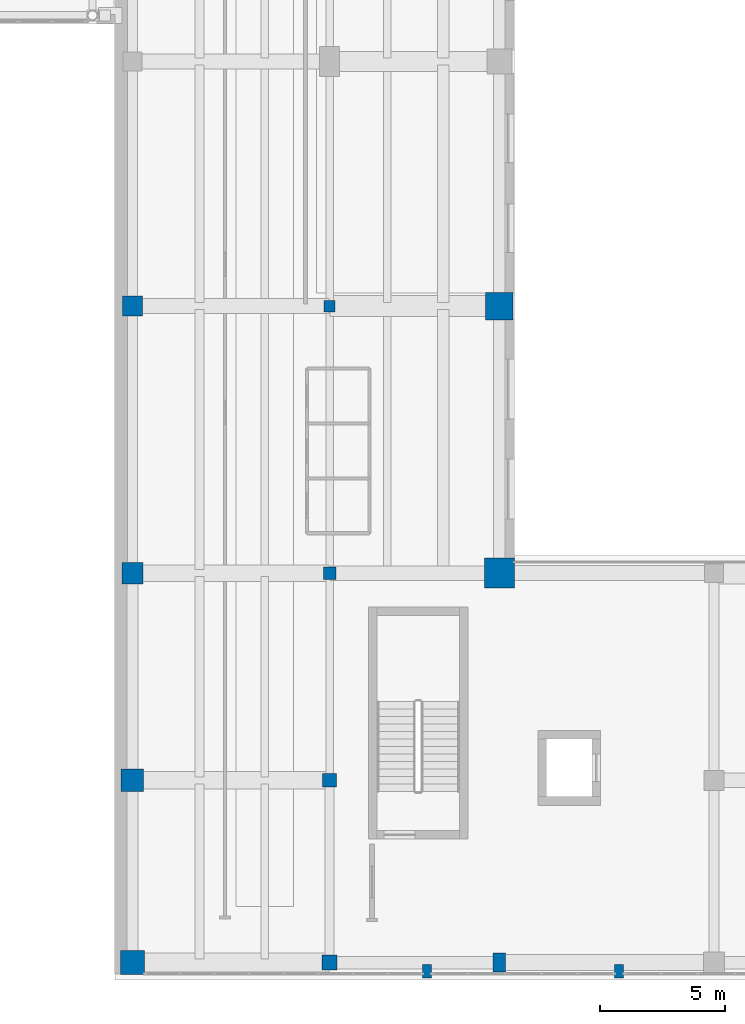
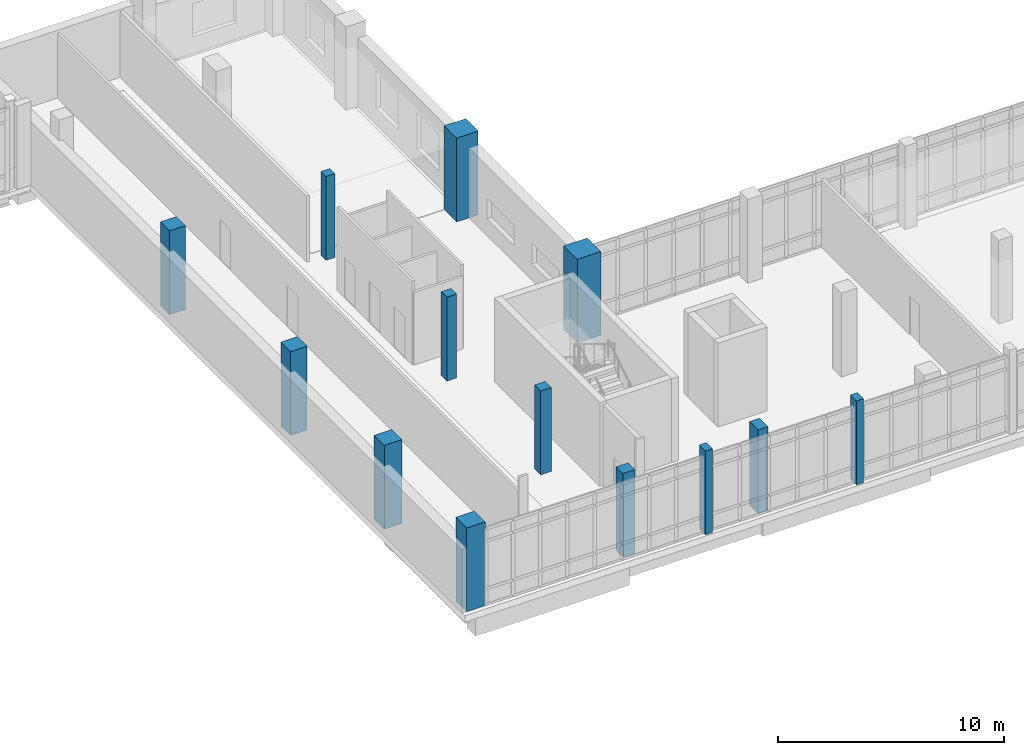
# One storey, part 3 of 89: 13 columns.
"""IFC4 building model written with IfcOpenShell, lengths in metres."""

from ifc_helpers import new_model, si_unit, direction, frame, origin, origin_2d, place, context, subcontext, project, spatial, rectangle, extrude, material, material_profile, profile_set, type_object, element, save


model = new_model("IFC4")

# Units and contexts
model_context = context("Model", 3, precision=1e-05, world=origin(), true_north=direction((0.0, 1.0)))
body_context = subcontext(model_context, "Body", "Model", "MODEL_VIEW")
ifc_project = project(units=[si_unit("LENGTHUNIT", "METRE"), si_unit("AREAUNIT", "SQUARE_METRE"), si_unit("VOLUMEUNIT", "CUBIC_METRE"), si_unit("PLANEANGLEUNIT", "RADIAN"), si_unit("MASSUNIT", "GRAM", prefix="KILO")], contexts=[model_context])

# Site, building, storey
site_placement = place(None, origin())
site = spatial("IfcSite", under=ifc_project, at=site_placement, CompositionType="ELEMENT")
building_placement = place(site_placement, origin())
building = spatial("IfcBuilding", under=site, at=building_placement, Name="Soyqirgoq Riverine Aquarium", CompositionType="ELEMENT")
storey_placement = place(building_placement, frame((0.0, 0.0, 5.39990234375)))
storey = spatial("IfcBuildingStorey", under=building, at=storey_placement, Name="L02", CompositionType="ELEMENT", Elevation=5.39990234375)

# Columns
ifc_material_1 = material(Name="Waterproof concrete C45/55", Category="concrete")
ifc_material_profile_1 = material_profile(ifc_material_1, rectangle(XDim=1.10009765625, YDim=1.10009765625, at=origin_2d()), Name="RC 1100x1100")
ifc_profile_set_1 = profile_set([ifc_material_profile_1], Name="Waterproof concrete C45/55")
column_type_1 = type_object("IfcColumnType", Name="Col_RC_1100x1100", PredefinedType="COLUMN", material=ifc_profile_set_1)
column_1_placement = place(storey_placement, frame((129.39990234375, 28.5, 0.0), z_axis=(0.0, 0.0, 1.0), x_axis=(1.0, 0.0, 0.0)))
element("IfcColumn", 1, at=column_1_placement, inside=storey, type_object=column_type_1, Name="V6 Column V6-C-17 L02", PredefinedType="COLUMN", context=body_context, shape_type="SweptSolid", body=[
    extrude(rectangle(XDim=1.10009765625, YDim=1.10009765625, at=origin_2d()), origin(), (0.0, 0.0, 1.0), 4.52001953125),
])
ifc_material_2 = material(Name="Waterproof concrete C45/55", Category="concrete")
ifc_material_profile_2 = material_profile(ifc_material_2, rectangle(XDim=1.199951171875, YDim=1.199951171875, at=origin_2d()), Name="RC 1200x1200")
ifc_profile_set_2 = profile_set([ifc_material_profile_2], Name="Waterproof concrete C45/55")
column_type_2 = type_object("IfcColumnType", Name="Col_RC_1200x1200", PredefinedType="COLUMN", material=ifc_profile_set_2)
column_2_placement = place(storey_placement, frame((129.39990234375, 17.800048828125, 0.0), z_axis=(0.0, 0.0, 1.0), x_axis=(1.0, 0.0, 0.0)))
element("IfcColumn", 2, at=column_2_placement, inside=storey, type_object=column_type_2, Name="V6 Column V6-C-16 L02", PredefinedType="COLUMN", context=body_context, shape_type="SweptSolid", body=[
    extrude(rectangle(XDim=1.199951171875, YDim=1.199951171875, at=origin_2d()), origin(), (0.0, 0.0, 1.0), 4.52001953125),
])
ifc_material_3 = material(Name="Concrete C40/50", Category="concrete")
ifc_material_profile_3 = material_profile(ifc_material_3, rectangle(XDim=0.449951171875, YDim=0.449951171875, at=origin_2d()), Name="RC 450x450")
ifc_profile_set_3 = profile_set([ifc_material_profile_3], Name="Concrete C40/50")
column_type_3 = type_object("IfcColumnType", Name="Col_RC_450x450", PredefinedType="COLUMN", material=ifc_profile_set_3)
column_3_placement = place(storey_placement, frame((122.60009765625, 28.5, 0.0), z_axis=(0.0, 0.0, 1.0), x_axis=(1.0, 0.0, 0.0)))
element("IfcColumn", 3, at=column_3_placement, inside=storey, type_object=column_type_3, Name="V6 Column V6-C-11 L02", PredefinedType="COLUMN", context=body_context, shape_type="SweptSolid", body=[
    extrude(rectangle(XDim=0.449951171875, YDim=0.449951171875, at=origin_2d()), origin(), (0.0, 0.0, 1.0), 4.52001953125),
])
ifc_material_4 = material(Name="Concrete C40/50", Category="concrete")
ifc_material_profile_4 = material_profile(ifc_material_4, rectangle(XDim=0.5, YDim=0.5, at=origin_2d()), Name="RC 500x500")
ifc_profile_set_4 = profile_set([ifc_material_profile_4], Name="Concrete C40/50")
column_type_4 = type_object("IfcColumnType", Name="Col_RC_500x500", PredefinedType="COLUMN", material=ifc_profile_set_4)
column_4_placement = place(storey_placement, frame((122.60009765625, 17.800048828125, 0.0), z_axis=(0.0, 0.0, 1.0), x_axis=(1.0, 0.0, 0.0)))
element("IfcColumn", 4, at=column_4_placement, inside=storey, type_object=column_type_4, Name="V6 Column V6-C-10 L02", PredefinedType="COLUMN", context=body_context, shape_type="SweptSolid", body=[
    extrude(rectangle(XDim=0.5, YDim=0.5, at=origin_2d()), origin(), (0.0, 0.0, 1.0), 4.52001953125),
])
ifc_material_5 = material(Name="Concrete C40/50", Category="concrete")
ifc_material_profile_5 = material_profile(ifc_material_5, rectangle(XDim=0.5, YDim=0.75, at=origin_2d()), Name="RC-COL 500x750")
ifc_profile_set_5 = profile_set([ifc_material_profile_5], Name="Concrete C40/50")
column_type_5 = type_object("IfcColumnType", Name="Col_RC_500x750", PredefinedType="COLUMN", material=ifc_profile_set_5)
column_5_placement = place(storey_placement, frame((129.39990234375, 2.199951171875, 0.0), z_axis=(0.0, 0.0, 1.0), x_axis=(1.0, 0.0, 0.0)))
element("IfcColumn", 5, at=column_5_placement, inside=storey, type_object=column_type_5, Name="V6 Column V6-C-15 L02", PredefinedType="COLUMN", context=body_context, shape_type="SweptSolid", body=[
    extrude(rectangle(XDim=0.5, YDim=0.75, at=origin_2d()), origin(), (0.0, 0.0, 1.0), 4.52001953125),
])
ifc_material_6 = material(Name="Concrete C40/50", Category="concrete")
ifc_material_profile_6 = material_profile(ifc_material_6, rectangle(XDim=0.550048828125, YDim=0.550048828125, at=origin_2d()), Name="RC 550x550")
ifc_profile_set_6 = profile_set([ifc_material_profile_6], Name="Concrete C40/50")
column_type_6 = type_object("IfcColumnType", Name="Col_RC_550x550", PredefinedType="COLUMN", material=ifc_profile_set_6)
column_6_placement = place(storey_placement, frame((122.60009765625, 9.5, 0.0), z_axis=(0.0, 0.0, 1.0), x_axis=(1.0, 0.0, 0.0)))
element("IfcColumn", 6, at=column_6_placement, inside=storey, type_object=column_type_6, Name="V6 Column V6-C-09 L02", PredefinedType="COLUMN", context=body_context, shape_type="SweptSolid", body=[
    extrude(rectangle(XDim=0.550048828125, YDim=0.550048828125, at=origin_2d()), origin(), (0.0, 0.0, 1.0), 4.52001953125),
])
ifc_material_7 = material(Name="Concrete C40/50", Category="concrete")
ifc_material_profile_7 = material_profile(ifc_material_7, rectangle(XDim=0.60009765625, YDim=0.60009765625, at=origin_2d()), Name="RC 600x600")
ifc_profile_set_7 = profile_set([ifc_material_profile_7], Name="Concrete C40/50")
column_type_7 = type_object("IfcColumnType", Name="Col_RC_600x600", PredefinedType="COLUMN", material=ifc_profile_set_7)
column_7_placement = place(storey_placement, frame((122.60009765625, 2.199951171875, 0.0), z_axis=(0.0, 0.0, 1.0), x_axis=(1.0, 0.0, 0.0)))
element("IfcColumn", 7, at=column_7_placement, inside=storey, type_object=column_type_7, Name="V6 Column V6-C-08 L02", PredefinedType="COLUMN", context=body_context, shape_type="SweptSolid", body=[
    extrude(rectangle(XDim=0.60009765625, YDim=0.60009765625, at=origin_2d()), origin(), (0.0, 0.0, 1.0), 4.52001953125),
])
ifc_material_8 = material(Name="Concrete C40/50", Category="concrete")
ifc_material_profile_8 = material_profile(ifc_material_8, rectangle(XDim=0.800048828125, YDim=0.800048828125, at=origin_2d()), Name="RC 800x800")
ifc_profile_set_8 = profile_set([ifc_material_profile_8], Name="Concrete C40/50")
column_type_8 = type_object("IfcColumnType", Name="Col_RC_800x800", PredefinedType="COLUMN", material=ifc_profile_set_8)
column_8_placement = place(storey_placement, frame((114.699951171875, 28.5, 0.0), z_axis=(0.0, 0.0, 1.0), x_axis=(1.0, 0.0, 0.0)))
element("IfcColumn", 8, at=column_8_placement, inside=storey, type_object=column_type_8, Name="V6 Column V6-C-04 L02", PredefinedType="COLUMN", context=body_context, shape_type="SweptSolid", body=[
    extrude(rectangle(XDim=0.800048828125, YDim=0.800048828125, at=origin_2d()), origin(), (0.0, 0.0, 1.0), 4.52001953125),
])
ifc_material_9 = material(Name="Concrete C40/50", Category="concrete")
ifc_material_profile_9 = material_profile(ifc_material_9, rectangle(XDim=0.85009765625, YDim=0.85009765625, at=origin_2d()), Name="RC 850x850")
ifc_profile_set_9 = profile_set([ifc_material_profile_9], Name="Concrete C40/50")
column_type_9 = type_object("IfcColumnType", Name="Col_RC_850x850", PredefinedType="COLUMN", material=ifc_profile_set_9)
column_9_placement = place(storey_placement, frame((114.699951171875, 17.800048828125, 0.0), z_axis=(0.0, 0.0, 1.0), x_axis=(1.0, 0.0, 0.0)))
element("IfcColumn", 9, at=column_9_placement, inside=storey, type_object=column_type_9, Name="V6 Column V6-C-03 L02", PredefinedType="COLUMN", context=body_context, shape_type="SweptSolid", body=[
    extrude(rectangle(XDim=0.85009765625, YDim=0.85009765625, at=origin_2d()), origin(), (0.0, 0.0, 1.0), 4.52001953125),
])
ifc_material_10 = material(Name="Concrete C40/50", Category="concrete")
ifc_material_profile_10 = material_profile(ifc_material_10, rectangle(XDim=0.89990234375, YDim=0.89990234375, at=origin_2d()), Name="RC 900x900")
ifc_profile_set_10 = profile_set([ifc_material_profile_10], Name="Concrete C40/50")
column_type_10 = type_object("IfcColumnType", Name="Col_RC_900x900", PredefinedType="COLUMN", material=ifc_profile_set_10)
column_10_placement = place(storey_placement, frame((114.699951171875, 9.5, 0.0), z_axis=(0.0, 0.0, 1.0), x_axis=(1.0, 0.0, 0.0)))
element("IfcColumn", 10, at=column_10_placement, inside=storey, type_object=column_type_10, Name="V6 Column V6-C-02 L02", PredefinedType="COLUMN", context=body_context, shape_type="SweptSolid", body=[
    extrude(rectangle(XDim=0.89990234375, YDim=0.89990234375, at=origin_2d()), origin(), (0.0, 0.0, 1.0), 4.52001953125),
])
ifc_material_11 = material(Name="Concrete C40/50", Category="concrete")
ifc_material_profile_11 = material_profile(ifc_material_11, rectangle(XDim=0.949951171875, YDim=0.949951171875, at=origin_2d()), Name="RC 950x950")
ifc_profile_set_11 = profile_set([ifc_material_profile_11], Name="Concrete C40/50")
column_type_11 = type_object("IfcColumnType", Name="Col_RC_950x950", PredefinedType="COLUMN", material=ifc_profile_set_11)
column_11_placement = place(storey_placement, frame((114.699951171875, 2.199951171875, 0.0), z_axis=(0.0, 0.0, 1.0), x_axis=(1.0, 0.0, 0.0)))
element("IfcColumn", 11, at=column_11_placement, inside=storey, type_object=column_type_11, Name="V6 Column V6-C-01 L02", PredefinedType="COLUMN", context=body_context, shape_type="SweptSolid", body=[
    extrude(rectangle(XDim=0.949951171875, YDim=0.949951171875, at=origin_2d()), origin(), (0.0, 0.0, 1.0), 4.52001953125),
])
ifc_material_12 = material(Name="Concrete C40/50", Category="concrete")
ifc_material_profile_12 = material_profile(ifc_material_12, rectangle(XDim=0.35009765625, YDim=0.550048828125, at=origin_2d()), Name="RC-PIL 350x550")
ifc_profile_set_12 = profile_set([ifc_material_profile_12], Name="Concrete C40/50")
column_type_12 = type_object("IfcColumnType", Name="Pilaster_350x550", PredefinedType="PILASTER", material=ifc_profile_set_12)
for number, where, z_axis, x_axis, name in (
    (12, (126.5, 1.85009765625, 0.0), (0.0, 0.0, 1.0), (1.0, 0.0, 0.0), "V6 Facade Pilaster PIL-V6-01 L02"),
    (13, (134.199951171875, 1.85009765625, 0.0), (0.0, 0.0, 1.0), (1.0, 0.0, 0.0), "V6 Facade Pilaster PIL-V6-03 L02"),
):
    element("IfcColumn", number, at=place(storey_placement, frame(where, z_axis=z_axis, x_axis=x_axis)), inside=storey, type_object=column_type_12, Name=name, PredefinedType="PILASTER", context=body_context, shape_type="SweptSolid", body=[
        extrude(rectangle(XDim=0.35009765625, YDim=0.550048828125, at=origin_2d()), origin(), (0.0, 0.0, 1.0), 4.52001953125),
    ])

save(model, "model.ifc")
